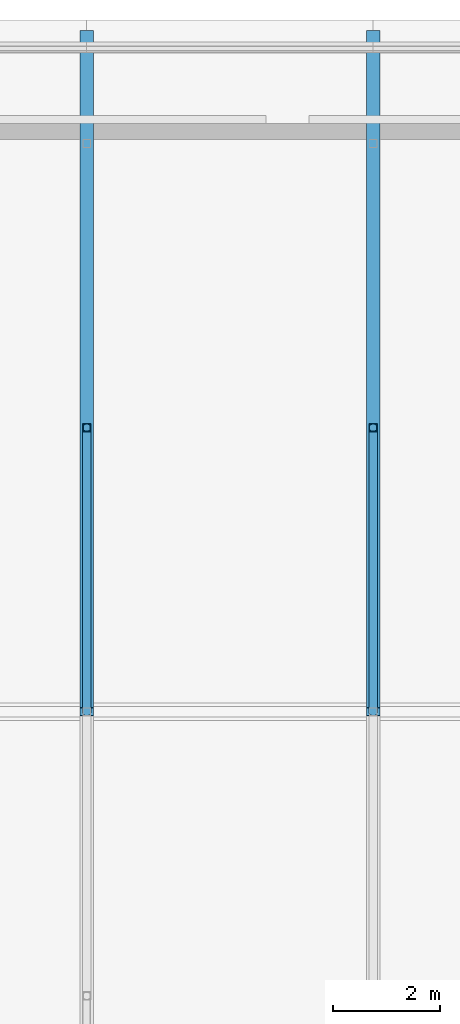
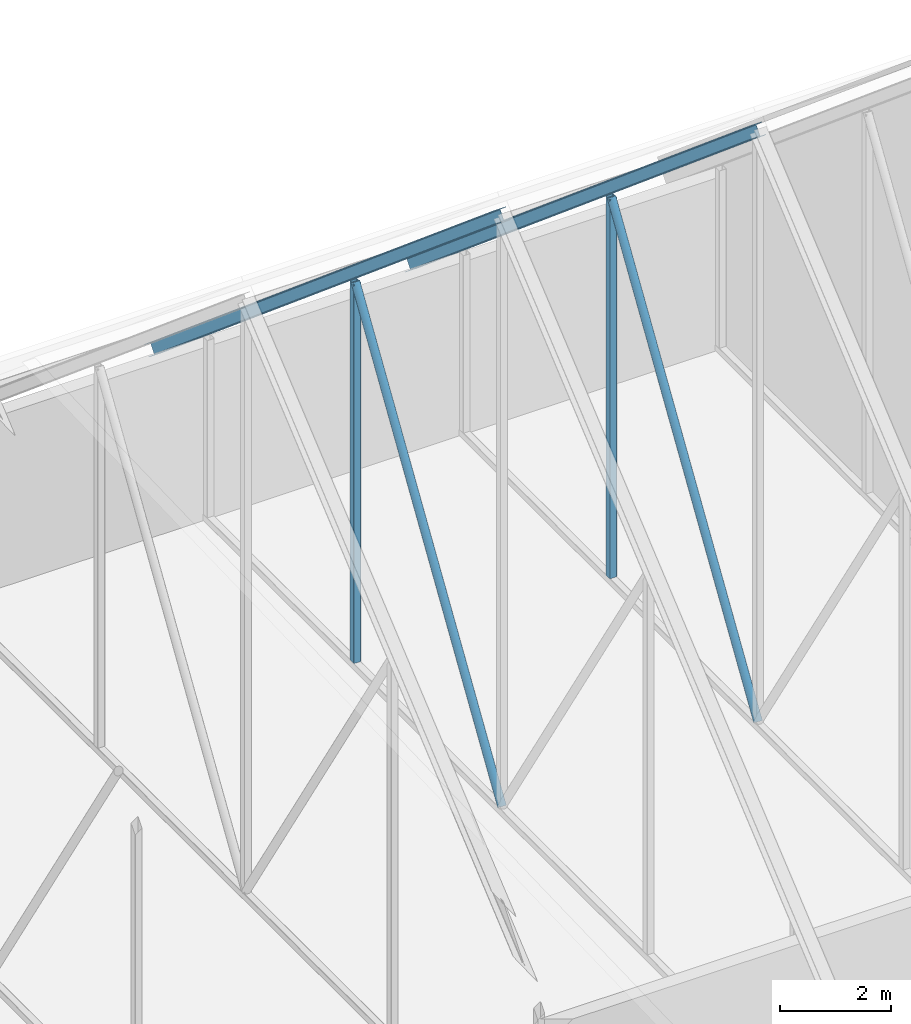
# One storey, part 20 of 29: 6 members.
"""IFC4 building model written with IfcOpenShell, lengths in metres."""

from ifc_helpers import new_model, si_unit, direction, frame, origin, origin_2d, place, context, subcontext, project, spatial, hollow_rectangle, hollow_circle, i_section, extrude, material, material_profile, profile_set, type_object, element, save


model = new_model("IFC4")

# Units and contexts
model_context = context("Model", 3, precision=1e-05, world=origin(), true_north=direction((0.0, 1.0)))
body_context = subcontext(model_context, "Body", "Model", "MODEL_VIEW")
ifc_project = project(units=[si_unit("LENGTHUNIT", "METRE"), si_unit("AREAUNIT", "SQUARE_METRE"), si_unit("VOLUMEUNIT", "CUBIC_METRE"), si_unit("PLANEANGLEUNIT", "RADIAN"), si_unit("MASSUNIT", "GRAM", prefix="KILO")], contexts=[model_context])

# Site, building, storey
site_placement = place(None, origin())
site = spatial("IfcSite", under=ifc_project, at=site_placement, CompositionType="ELEMENT")
building_placement = place(site_placement, origin())
building = spatial("IfcBuilding", under=site, at=building_placement, Name="Silangan Lancet Faculty of Sciences", CompositionType="ELEMENT")
storey_placement = place(building_placement, frame((0.0, 0.0, 54.300048828125)))
storey = spatial("IfcBuildingStorey", under=building, at=storey_placement, Name="L11", CompositionType="ELEMENT", Elevation=54.300048828125)

# Members
ifc_material_1 = material(Name="Steel STK400", Category="steel")
ifc_material_profile_1 = material_profile(ifc_material_1, hollow_circle(Radius=0.08251953125, WallThickness=0.0048828125, at=origin_2d()), Name="CHS 165.2x5.0")
ifc_profile_set_1 = profile_set([ifc_material_profile_1], Name="Steel STK400")
member_type_1 = type_object("IfcMemberType", Name="Truss diagonal CHS 165.2x5.0", PredefinedType="BRACE", material=ifc_profile_set_1)
for number, where, z_axis, x_axis, name in (
    (1, (17.862548828125, 46.800048828125, 0.14990234375), (0.0, 0.535278447344, 0.844675667821), (-1.0, 0.0, 0.0), "Gable truss 3 diagonal N"),
    (2, (23.19384765625, 46.800048828125, 0.14990234375), (0.0, 0.535278447344, 0.844675667821), (-1.0, 0.0, 0.0), "Gable truss 4 diagonal N"),
):
    element("IfcMember", number, at=place(storey_placement, frame(where, z_axis=z_axis, x_axis=x_axis)), inside=storey, type_object=member_type_1, Name=name, PredefinedType="BRACE", context=body_context, shape_type="SweptSolid", body=[
        extrude(hollow_circle(Radius=0.08251953125, WallThickness=0.0048828125, at=origin_2d()), origin(), (0.0, 0.0, 1.0), 9.877685546875),
    ])
ifc_material_2 = material(Name="Steel STKR400", Category="steel")
ifc_material_profile_2 = material_profile(ifc_material_2, hollow_rectangle(XDim=0.14990234375, YDim=0.14990234375, WallThickness=0.006103515625, InnerFilletRadius=0.006103515625, OuterFilletRadius=0.011962890625, at=origin_2d()), Name="SHS 150x150x6.0")
ifc_profile_set_2 = profile_set([ifc_material_profile_2], Name="Steel STKR400")
member_type_2 = type_object("IfcMemberType", Name="Truss post SHS 150x150x6.0", PredefinedType="POST", material=ifc_profile_set_2)
for number, where, z_axis, x_axis, name in (
    (3, (17.862548828125, 52.08740234375, 0.14990234375), (0.0, 0.0, 1.0), (1.0, 0.0, 0.0), "Gable truss 3 mid post N"),
    (4, (23.19384765625, 52.08740234375, 0.14990234375), (0.0, 0.0, 1.0), (1.0, 0.0, 0.0), "Gable truss 4 mid post N"),
):
    element("IfcMember", number, at=place(storey_placement, frame(where, z_axis=z_axis, x_axis=x_axis)), inside=storey, type_object=member_type_2, Name=name, PredefinedType="POST", context=body_context, shape_type="SweptSolid", body=[
        extrude(hollow_rectangle(XDim=0.14990234375, YDim=0.14990234375, WallThickness=0.006103515625, InnerFilletRadius=0.006103515625, OuterFilletRadius=0.011962890625, at=origin_2d()), origin(), (0.0, 0.0, 1.0), 8.343505859375),
    ])
ifc_material_3 = material(Name="Steel SS400", Category="steel")
ifc_material_profile_3 = material_profile(ifc_material_3, i_section(OverallWidth=0.25, OverallDepth=0.25, WebThickness=0.009033203125, FlangeThickness=0.013916015625, FilletRadius=0.01611328125, at=origin_2d()), Name="H 250x250x9x14")
ifc_profile_set_3 = profile_set([ifc_material_profile_3], Name="Steel SS400")
member_type_3 = type_object("IfcMemberType", Name="Truss top chord H 250x250x9x14", PredefinedType="CHORD", material=ifc_profile_set_3)
for number, where, z_axis, x_axis, name in (
    (5, (17.862548828125, 59.39990234375, 2.5771484375), (0.0, -0.765701649721, 0.643195913866), (1.0, 0.0, 0.0), "Gable truss 3 rafter N"),
    (6, (23.19384765625, 59.39990234375, 2.5771484375), (0.0, -0.765701649721, 0.643195913866), (1.0, 0.0, 0.0), "Gable truss 4 rafter N"),
):
    element("IfcMember", number, at=place(storey_placement, frame(where, z_axis=z_axis, x_axis=x_axis)), inside=storey, type_object=member_type_3, Name=name, PredefinedType="CHORD", context=body_context, shape_type="SweptSolid", body=[
        extrude(i_section(OverallWidth=0.25, OverallDepth=0.25, WebThickness=0.009033203125, FlangeThickness=0.013916015625, FilletRadius=0.01611328125, at=origin_2d()), origin(), (0.0, 0.0, 1.0), 16.455322265625),
    ])

save(model, "model.ifc")
